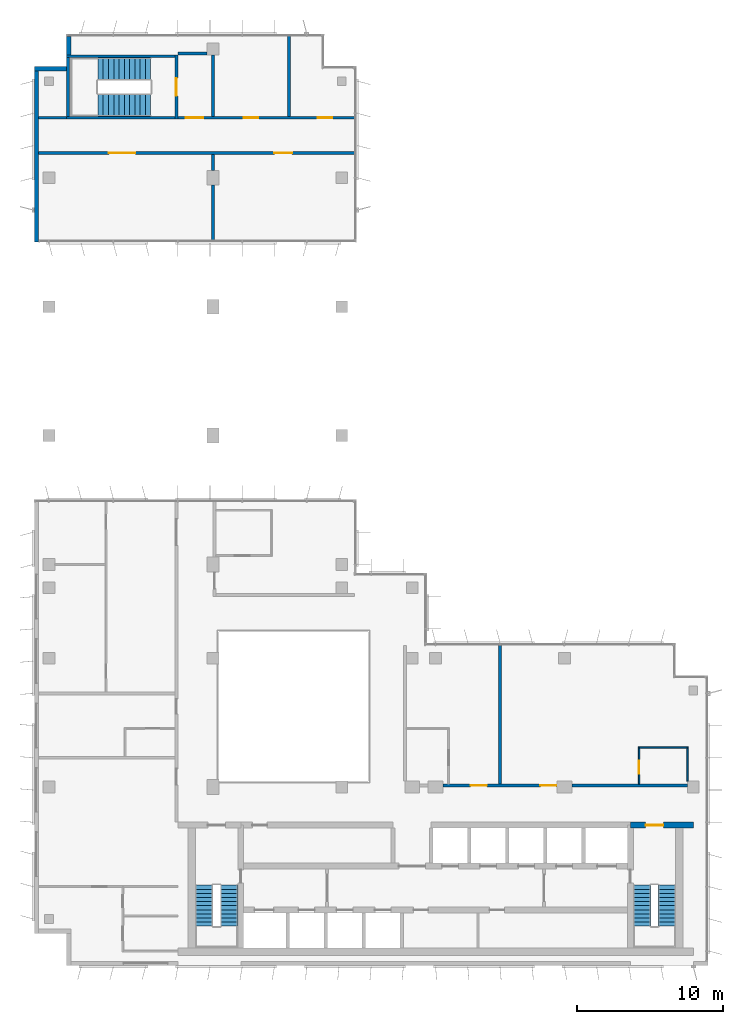
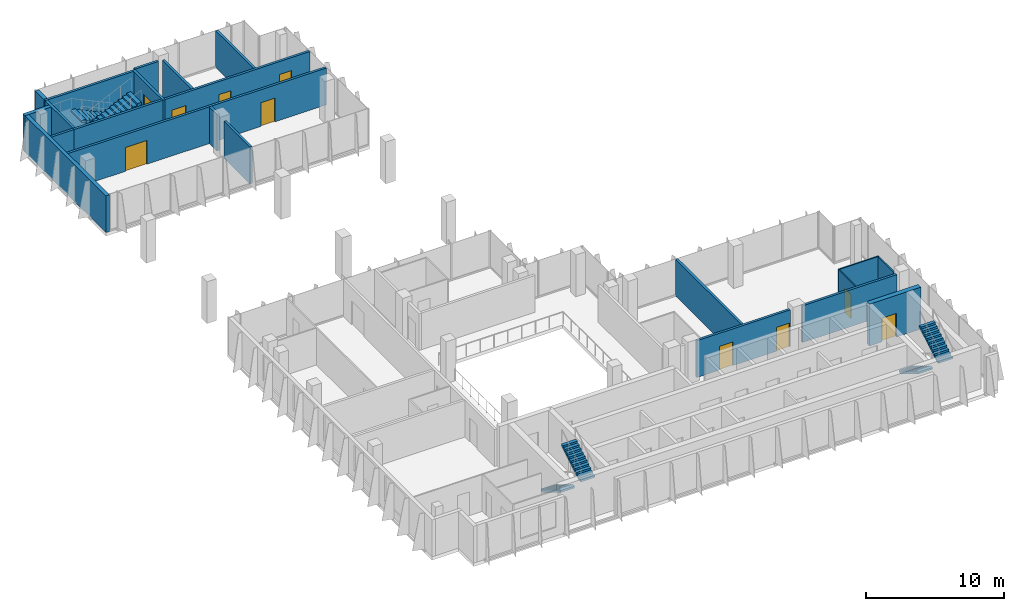
# One storey, part 11 of 13: 22 walls, 10 doors, 6 stair flights, 10 openings, 3 elements without a shape of their own.
"""IFC4 building model written with IfcOpenShell, lengths in metres."""

from ifc_helpers import new_model, si_unit, direction, frame, frame_2d, origin, place, context, subcontext, project, spatial, polyline, rectangle, outline, extrude, material, layer, layer_set, type_object, element, fill, aggregate, save


model = new_model("IFC4")

# Units and contexts
model_context = context("Model", 3, precision=1e-05, world=origin(), true_north=direction((0.0, 1.0)))
body_context = subcontext(model_context, "Body", "Model", "MODEL_VIEW")
ifc_project = project(units=[si_unit("LENGTHUNIT", "METRE"), si_unit("AREAUNIT", "SQUARE_METRE"), si_unit("VOLUMEUNIT", "CUBIC_METRE"), si_unit("PLANEANGLEUNIT", "RADIAN"), si_unit("MASSUNIT", "GRAM", prefix="KILO")], contexts=[model_context])

# Site, building, storey
site_placement = place(None, origin())
site = spatial("IfcSite", under=ifc_project, at=site_placement, CompositionType="ELEMENT")
building_placement = place(site_placement, origin())
building = spatial("IfcBuilding", under=site, at=building_placement, Name="Kemantara Hotel Tower", CompositionType="ELEMENT")
storey_placement = place(building_placement, frame((0.0, 0.0, 252.39990234375)))
storey = spatial("IfcBuildingStorey", under=building, at=storey_placement, Name="L63", CompositionType="ELEMENT", Elevation=252.39990234375)

# Walls
ifc_material_1 = material(Name="Bronze anodised aluminium cladding on insulated steel stud wall", Category="steel")
ifc_layer_1 = layer(ifc_material_1, 0.300048828125)
ifc_layer_set_1 = layer_set([ifc_layer_1], Name="Bronze anodised aluminium cladding on insulated steel stud wall")
wall_type_1 = type_object("IfcWallType", Name="BRONZE METAL-CLAD EXTERNAL WALL 300", PredefinedType="STANDARD", material=ifc_layer_set_1)
wall_1_placement = place(storey_placement, frame((2.35009765625, 63.449951171875, 0.0), z_axis=(0.0, 0.0, 1.0), x_axis=(0.0, -1.0, 0.0)))
element("IfcWall", 1, at=wall_1_placement, inside=storey, type_object=wall_type_1, Name="EXTERNAL WALL L63 T4P-R17", PredefinedType="STANDARD", context=body_context, shape_type="SweptSolid", body=[
    extrude(rectangle(XDim=1.25, YDim=0.300048828125, at=frame_2d((0.625, 0.0))), origin(), (0.0, 0.0, 1.0), 3.25),
])
wall_2_placement = place(storey_placement, frame((2.199951171875, 61.25, 0.0), z_axis=(0.0, 0.0, 1.0), x_axis=(-1.0, 0.0, 0.0)))
element("IfcWall", 2, at=wall_2_placement, inside=storey, type_object=wall_type_1, Name="EXTERNAL WALL L63 T4P-R18", PredefinedType="STANDARD", context=body_context, shape_type="SweptSolid", body=[
    extrude(rectangle(XDim=2.199951171875, YDim=0.300048828125, at=frame_2d((1.10009765625, 0.0))), origin(), (0.0, 0.0, 1.0), 3.25),
])
wall_3_placement = place(storey_placement, frame((0.14990234375, 61.10009765625, 0.0), z_axis=(0.0, 0.0, 1.0), x_axis=(0.0, -1.0, 0.0)))
element("IfcWall", 3, at=wall_3_placement, inside=storey, type_object=wall_type_1, Name="EXTERNAL WALL L63 T4P-R19", PredefinedType="STANDARD", context=body_context, shape_type="SweptSolid", body=[
    extrude(rectangle(XDim=11.7001953125, YDim=0.300048828125, at=frame_2d((5.85009765625, 0.0))), origin(), (0.0, 0.0, 1.0), 3.25),
])

# Wall, opening, door
ifc_material_2 = material(Name="Concrete fc 60 MPa", Category="concrete")
ifc_layer_2 = layer(ifc_material_2, 0.39990234375)
ifc_layer_set_2 = layer_set([ifc_layer_2], Name="Concrete fc 60 MPa")
wall_type_2 = type_object("IfcWallType", Name="CORE WALL 400 FC60", PredefinedType="SHEAR", material=ifc_layer_set_2)
wall_4_placement = place(storey_placement, frame((40.699951171875, 9.60009765625, 0.0), z_axis=(0.0, 0.0, 1.0), x_axis=(1.0, 0.0, 0.0)))
wall_4 = element("IfcWall", 4, at=wall_4_placement, inside=storey, type_object=wall_type_2, Name="CORE WALL CW-N2", PredefinedType="SHEAR", context=body_context, shape_type="SweptSolid", body=[
    extrude(rectangle(XDim=4.300048828125, YDim=0.39990234375, at=frame_2d((2.14990234375, 0.0))), origin(), (0.0, 0.0, 1.0), 3.7001953125),
])
opening_1_placement = place(wall_4_placement, frame((1.050048828125, 0.0, 0.0)))
opening_1 = element("IfcOpeningElement", 5, at=opening_1_placement, cuts=wall_4, Name="Opening C37-ST2-C", PredefinedType="OPENING", context=body_context, shape_type="SweptSolid", body=[
    extrude(rectangle(XDim=1.199951171875, YDim=2.10009765625, at=frame_2d((0.60009765625, 1.050048828125))), frame((0.0, 0.2099609375, 0.0), z_axis=(0.0, -1.0, 0.0), x_axis=(1.0, 0.0, 0.0)), (0.0, 0.0, 1.0), 0.419921875),
])
ifc_material_3 = material(Name="Steel fire door", Category="steel")
door_type_1 = type_object("IfcDoorType", Name="Fire door FD90 1200 x 2100", OperationType="NOTDEFINED", PredefinedType="DOOR", material=ifc_material_3)
door_1_placement = place(opening_1_placement, frame((1.199951171875, 0.0, 0.0), z_axis=(0.0, 0.0, 1.0), x_axis=(-1.0, 0.0, 0.0)))
door_1 = element("IfcDoor", 6, at=door_1_placement, inside=storey, type_object=door_type_1, Name="Stair ST2 door to corridor", OperationType="SINGLE_SWING_RIGHT", OverallHeight=2.10009765625, OverallWidth=1.199951171875, PredefinedType="DOOR", context=body_context, shape_type="SweptSolid", body=[
    extrude(rectangle(XDim=1.199951171875, YDim=2.10009765625, at=frame_2d((0.60009765625, 1.050048828125))), frame((0.0, 0.02490234375, 0.0), z_axis=(0.0, -1.0, 0.0), x_axis=(1.0, 0.0, 0.0)), (0.0, 0.0, 1.0), 0.050048828125),
])
fill(opening_1, door_1)

# Wall, openings, doors
ifc_material_4 = material(Name="Gypsum board partition, steel studs and mineral wool, 200 mm", Category="steel")
ifc_layer_3 = layer(ifc_material_4, 0.199951171875)
ifc_layer_set_3 = layer_set([ifc_layer_3], Name="Gypsum board partition, steel studs and mineral wool, 200 mm")
wall_type_3 = type_object("IfcWallType", Name="CORRIDOR WALL 200", PredefinedType="PARTITIONING", material=ifc_layer_set_3)
wall_5_placement = place(storey_placement, frame((27.900146484375, 12.300048828125, 0.0), z_axis=(0.0, 0.0, 1.0), x_axis=(1.0, 0.0, 0.0)))
wall_5 = element("IfcWall", 7, at=wall_5_placement, inside=storey, type_object=wall_type_3, Name="CORRIDOR WALL 200 010", PredefinedType="PARTITIONING", context=body_context, shape_type="SweptSolid", body=[
    extrude(rectangle(XDim=7.7998046875, YDim=0.199951171875, at=frame_2d((3.89990234375, 0.0))), origin(), (0.0, 0.0, 1.0), 3.25),
])
opening_2_placement = place(wall_5_placement, frame((1.89990234375, 0.0, 0.0)))
opening_2 = element("IfcOpeningElement", 8, at=opening_2_placement, cuts=wall_5, Name="Opening F31-001", PredefinedType="OPENING", context=body_context, shape_type="SweptSolid", body=[
    extrude(rectangle(XDim=1.10009765625, YDim=2.10009765625, at=frame_2d((0.550048828125, 1.050048828125))), frame((0.0, 0.10986328125, 0.0), z_axis=(0.0, -1.0, 0.0), x_axis=(1.0, 0.0, 0.0)), (0.0, 0.0, 1.0), 0.219970703125),
])
opening_3_placement = place(wall_5_placement, frame((6.64990234375, 0.0, 0.0)))
opening_3 = element("IfcOpeningElement", 9, at=opening_3_placement, cuts=wall_5, Name="Opening F31-003", PredefinedType="OPENING", context=body_context, shape_type="SweptSolid", body=[
    extrude(rectangle(XDim=1.10009765625, YDim=2.10009765625, at=frame_2d((0.550048828125, 1.050048828125))), frame((0.0, 0.10986328125, 0.0), z_axis=(0.0, -1.0, 0.0), x_axis=(1.0, 0.0, 0.0)), (0.0, 0.0, 1.0), 0.219970703125),
])
ifc_material_5 = material(Name="Hardwood veneer door leaf with steel frame", Category="steel")
door_type_2 = type_object("IfcDoorType", Name="GUEST ROOM DOOR 1100 X 2100 FD30S", OperationType="NOTDEFINED", PredefinedType="DOOR", material=ifc_material_5)
door_2_placement = place(opening_2_placement, origin())
door_2 = element("IfcDoor", 10, at=door_2_placement, inside=storey, type_object=door_type_2, Name="GUEST ROOM DOOR F31-001", OperationType="SINGLE_SWING_RIGHT", OverallHeight=2.10009765625, OverallWidth=1.10009765625, PredefinedType="DOOR", context=body_context, shape_type="SweptSolid", body=[
    extrude(rectangle(XDim=1.10009765625, YDim=2.10009765625, at=frame_2d((0.550048828125, 1.050048828125))), frame((0.0, 0.02490234375, 0.0), z_axis=(0.0, -1.0, 0.0), x_axis=(1.0, 0.0, 0.0)), (0.0, 0.0, 1.0), 0.050048828125),
])
fill(opening_2, door_2)
door_type_3 = type_object("IfcDoorType", Name="SUITE ENTRANCE DOOR 1100 X 2100 FD30S", OperationType="NOTDEFINED", PredefinedType="DOOR", material=ifc_material_5)
door_3_placement = place(opening_3_placement, origin())
door_3 = element("IfcDoor", 11, at=door_3_placement, inside=storey, type_object=door_type_3, Name="SUITE ENTRANCE DOOR F31-003", OperationType="SINGLE_SWING_LEFT", OverallHeight=2.10009765625, OverallWidth=1.10009765625, PredefinedType="DOOR", context=body_context, shape_type="SweptSolid", body=[
    extrude(rectangle(XDim=1.10009765625, YDim=2.10009765625, at=frame_2d((0.550048828125, 1.050048828125))), frame((0.0, 0.02490234375, 0.0), z_axis=(0.0, -1.0, 0.0), x_axis=(1.0, 0.0, 0.0)), (0.0, 0.0, 1.0), 0.050048828125),
])
fill(opening_3, door_3)

# Wall
wall_6_placement = place(storey_placement, frame((36.7001953125, 12.300048828125, 0.0), z_axis=(0.0, 0.0, 1.0), x_axis=(1.0, 0.0, 0.0)))
element("IfcWall", 12, at=wall_6_placement, inside=storey, type_object=wall_type_3, Name="CORRIDOR WALL 200 011", PredefinedType="PARTITIONING", context=body_context, shape_type="SweptSolid", body=[
    extrude(rectangle(XDim=7.899658203125, YDim=0.199951171875, at=frame_2d((3.94970703125, 0.0))), origin(), (0.0, 0.0, 1.0), 3.25),
])

# Wall, opening, door
ifc_material_6 = material(Name="Concrete fc 40 MPa", Category="concrete")
ifc_layer_4 = layer(ifc_material_6, 0.199951171875)
ifc_layer_set_4 = layer_set([ifc_layer_4], Name="Concrete fc 40 MPa")
wall_type_4 = type_object("IfcWallType", Name="Concrete stair wall 200 mm", PredefinedType="SHEAR", material=ifc_layer_set_4)
wall_7_placement = place(storey_placement, frame((9.699951171875, 57.800048828125, 0.0), z_axis=(0.0, 0.0, 1.0), x_axis=(0.0, 1.0, 0.0)))
wall_7 = element("IfcWall", 13, at=wall_7_placement, inside=storey, type_object=wall_type_4, Name="Stair ST4 enclosure wall with door", PredefinedType="SHEAR", context=body_context, shape_type="SweptSolid", body=[
    extrude(rectangle(XDim=4.39990234375, YDim=0.199951171875, at=frame_2d((2.199951171875, 0.0))), origin(), (0.0, 0.0, 1.0), 3.25),
])
opening_4_placement = place(wall_7_placement, frame((1.60009765625, 0.0, 0.0)))
opening_4 = element("IfcOpeningElement", 14, at=opening_4_placement, cuts=wall_7, Name="Opening ST4-C", PredefinedType="OPENING", context=body_context, shape_type="SweptSolid", body=[
    extrude(rectangle(XDim=1.199951171875, YDim=2.10009765625, at=frame_2d((0.60009765625, 1.050048828125))), frame((0.0, 0.10986328125, 0.0), z_axis=(0.0, -1.0, 0.0), x_axis=(1.0, 0.0, 0.0)), (0.0, 0.0, 1.0), 0.219970703125),
])
door_4_placement = place(opening_4_placement, origin())
door_4 = element("IfcDoor", 15, at=door_4_placement, inside=storey, type_object=door_type_1, Name="Stair ST4 door", OperationType="SINGLE_SWING_RIGHT", OverallHeight=2.10009765625, OverallWidth=1.199951171875, PredefinedType="DOOR", context=body_context, shape_type="SweptSolid", body=[
    extrude(rectangle(XDim=1.199951171875, YDim=2.10009765625, at=frame_2d((0.60009765625, 1.050048828125))), frame((0.0, 0.02490234375, 0.0), z_axis=(0.0, -1.0, 0.0), x_axis=(1.0, 0.0, 0.0)), (0.0, 0.0, 1.0), 0.050048828125),
])
fill(opening_4, door_4)

# Walls
for number, where, z_axis, x_axis, name in (
    (16, (2.199951171875, 62.10009765625, 0.0), (0.0, 0.0, 1.0), (1.0, 0.0, 0.0), "Stair ST4 enclosure wall N"),
    (17, (2.199951171875, 57.89990234375, 0.0), (0.0, 0.0, 1.0), (1.0, 0.0, 0.0), "Stair ST4 enclosure wall S"),
):
    element("IfcWall", number, at=place(storey_placement, frame(where, z_axis=z_axis, x_axis=x_axis)), inside=storey, type_object=wall_type_4, Name=name, PredefinedType="SHEAR", context=body_context, shape_type="SweptSolid", body=[
        extrude(rectangle(XDim=7.400146484375, YDim=0.199951171875, at=frame_2d((3.7001953125, 0.0))), origin(), (0.0, 0.0, 1.0), 3.25),
    ])
wall_8_placement = place(storey_placement, frame((2.300048828125, 58.0, 0.0), z_axis=(0.0, 0.0, 1.0), x_axis=(0.0, 1.0, 0.0)))
element("IfcWall", 18, at=wall_8_placement, inside=storey, type_object=wall_type_4, Name="Stair ST4 enclosure wall W", PredefinedType="SHEAR", context=body_context, shape_type="SweptSolid", body=[
    extrude(rectangle(XDim=4.0, YDim=0.199951171875, at=frame_2d((2.0, 0.0))), origin(), (0.0, 0.0, 1.0), 3.25),
])
ifc_layer_5 = layer(ifc_material_4, 0.199951171875)
ifc_layer_set_5 = layer_set([ifc_layer_5], Name="Gypsum board partition, steel studs and mineral wool, 200 mm")
wall_type_5 = type_object("IfcWallType", Name="GUEST ROOM PARTY WALL 200", PredefinedType="PARTITIONING", material=ifc_layer_set_5)
wall_9_placement = place(storey_placement, frame((31.800048828125, 12.39990234375, 0.0), z_axis=(0.0, 0.0, 1.0), x_axis=(0.0, 1.0, 0.0)))
element("IfcWall", 19, at=wall_9_placement, inside=storey, type_object=wall_type_5, Name="GUEST ROOM PARTY WALL 200 013", PredefinedType="PARTITIONING", context=body_context, shape_type="SweptSolid", body=[
    extrude(rectangle(XDim=9.47021484375, YDim=0.199951171875, at=frame_2d((4.735107421875, 0.0))), origin(), (0.0, 0.0, 1.0), 3.25),
])

# Wall, openings, doors
ifc_material_7 = material(Name="Gypsum board partition, steel studs and mineral wool, double layer, 200 mm", Category="steel")
ifc_layer_6 = layer(ifc_material_7, 0.199951171875)
ifc_layer_set_6 = layer_set([ifc_layer_6], Name="Gypsum board partition, steel studs and mineral wool, double layer, 200 mm")
wall_type_6 = type_object("IfcWallType", Name="PLANT ROOM WALL 200", PredefinedType="PARTITIONING", material=ifc_layer_set_6)
wall_10_placement = place(storey_placement, frame((0.300048828125, 55.5, 0.0), z_axis=(0.0, 0.0, 1.0), x_axis=(1.0, 0.0, 0.0)))
wall_10 = element("IfcWall", 20, at=wall_10_placement, inside=storey, type_object=wall_type_6, Name="PLANT ROOM WALL 200 001", PredefinedType="PARTITIONING", context=body_context, shape_type="SweptSolid", body=[
    extrude(rectangle(XDim=21.579833984375, YDim=0.199951171875, at=frame_2d((10.7900390625, 0.0))), origin(), (0.0, 0.0, 1.0), 3.25),
])
opening_5_placement = place(wall_10_placement, frame((4.7998046875, 0.0, 0.0)))
opening_5 = element("IfcOpeningElement", 21, at=opening_5_placement, cuts=wall_10, Name="Opening F31-016", PredefinedType="OPENING", context=body_context, shape_type="SweptSolid", body=[
    extrude(rectangle(XDim=1.800048828125, YDim=2.10009765625, at=frame_2d((0.89990234375, 1.050048828125))), frame((0.0, 0.10986328125, 0.0), z_axis=(0.0, -1.0, 0.0), x_axis=(1.0, 0.0, 0.0)), (0.0, 0.0, 1.0), 0.219970703125),
])
opening_6_placement = place(wall_10_placement, frame((16.099853515625, 0.0, 0.0)))
opening_6 = element("IfcOpeningElement", 22, at=opening_6_placement, cuts=wall_10, Name="Opening F31-017", PredefinedType="OPENING", context=body_context, shape_type="SweptSolid", body=[
    extrude(rectangle(XDim=1.199951171875, YDim=2.10009765625, at=frame_2d((0.60009765625, 1.050048828125))), frame((0.0, 0.10986328125, 0.0), z_axis=(0.0, -1.0, 0.0), x_axis=(1.0, 0.0, 0.0)), (0.0, 0.0, 1.0), 0.219970703125),
])
ifc_material_8 = material(Name="Steel door leaf with steel frame", Category="steel")
door_type_4 = type_object("IfcDoorType", Name="SERVICE ROOM DOOR 1200 X 2100 FD60", OperationType="NOTDEFINED", PredefinedType="DOOR", material=ifc_material_8)
door_5_placement = place(opening_6_placement, origin())
door_5 = element("IfcDoor", 23, at=door_5_placement, inside=storey, type_object=door_type_4, Name="SERVICE ROOM DOOR F31-017", OperationType="SINGLE_SWING_LEFT", OverallHeight=2.10009765625, OverallWidth=1.199951171875, PredefinedType="DOOR", context=body_context, shape_type="SweptSolid", body=[
    extrude(rectangle(XDim=1.199951171875, YDim=2.10009765625, at=frame_2d((0.60009765625, 1.050048828125))), frame((0.0, 0.02490234375, 0.0), z_axis=(0.0, -1.0, 0.0), x_axis=(1.0, 0.0, 0.0)), (0.0, 0.0, 1.0), 0.050048828125),
])
fill(opening_6, door_5)
door_type_5 = type_object("IfcDoorType", Name="SERVICE ROOM DOOR 1800 X 2100 FD60", OperationType="NOTDEFINED", PredefinedType="DOOR", material=ifc_material_8)
door_6_placement = place(opening_5_placement, origin())
door_6 = element("IfcDoor", 24, at=door_6_placement, inside=storey, type_object=door_type_5, Name="SERVICE ROOM DOOR F31-016", OperationType="DOUBLE_DOOR_SINGLE_SWING", OverallHeight=2.10009765625, OverallWidth=1.800048828125, PredefinedType="DOOR", context=body_context, shape_type="SweptSolid", body=[
    extrude(rectangle(XDim=1.800048828125, YDim=2.10009765625, at=frame_2d((0.89990234375, 1.050048828125))), frame((0.0, 0.02490234375, 0.0), z_axis=(0.0, -1.0, 0.0), x_axis=(1.0, 0.0, 0.0)), (0.0, 0.0, 1.0), 0.050048828125),
])
fill(opening_5, door_6)

# Walls
wall_11_placement = place(storey_placement, frame((12.199951171875, 49.52001953125, 0.0), z_axis=(0.0, 0.0, 1.0), x_axis=(0.0, 1.0, 0.0)))
element("IfcWall", 25, at=wall_11_placement, inside=storey, type_object=wall_type_6, Name="PLANT ROOM WALL 200 002", PredefinedType="PARTITIONING", context=body_context, shape_type="SweptSolid", body=[
    extrude(rectangle(XDim=3.77978515625, YDim=0.199951171875, at=frame_2d((1.889892578125, 0.0))), origin(), (0.0, 0.0, 1.0), 3.25),
])
wall_12_placement = place(storey_placement, frame((12.199951171875, 54.300048828125, 0.0), z_axis=(0.0, 0.0, 1.0), x_axis=(0.0, 1.0, 0.0)))
element("IfcWall", 26, at=wall_12_placement, inside=storey, type_object=wall_type_6, Name="PLANT ROOM WALL 200 003", PredefinedType="PARTITIONING", context=body_context, shape_type="SweptSolid", body=[
    extrude(rectangle(XDim=1.099853515625, YDim=0.199951171875, at=frame_2d((0.5498046875, 0.0))), origin(), (0.0, 0.0, 1.0), 3.25),
])
wall_13_placement = place(storey_placement, frame((12.199951171875, 58.0, 0.0), z_axis=(0.0, 0.0, 1.0), x_axis=(0.0, 1.0, 0.0)))
element("IfcWall", 27, at=wall_13_placement, inside=storey, type_object=wall_type_6, Name="PLANT ROOM WALL 200 004", PredefinedType="PARTITIONING", context=body_context, shape_type="SweptSolid", body=[
    extrude(rectangle(XDim=4.199951171875, YDim=0.199951171875, at=frame_2d((2.10009765625, 0.0))), origin(), (0.0, 0.0, 1.0), 3.25),
])
wall_14_placement = place(storey_placement, frame((0.300048828125, 57.89990234375, 0.0), z_axis=(0.0, 0.0, 1.0), x_axis=(1.0, 0.0, 0.0)))
element("IfcWall", 28, at=wall_14_placement, inside=storey, type_object=wall_type_6, Name="PLANT ROOM WALL 200 005", PredefinedType="PARTITIONING", context=body_context, shape_type="SweptSolid", body=[
    extrude(rectangle(XDim=1.89990234375, YDim=0.199951171875, at=frame_2d((0.949951171875, 0.0))), origin(), (0.0, 0.0, 1.0), 3.25),
])

# Wall, openings, doors
wall_15_placement = place(storey_placement, frame((21.8798828125, 57.89990234375, 0.0), z_axis=(0.0, 0.0, 1.0), x_axis=(-1.0, 0.0, 0.0)))
wall_15 = element("IfcWall", 29, at=wall_15_placement, inside=storey, type_object=wall_type_6, Name="PLANT ROOM WALL 200 006", PredefinedType="PARTITIONING", context=body_context, shape_type="SweptSolid", body=[
    extrude(rectangle(XDim=12.079833984375, YDim=0.199951171875, at=frame_2d((6.0400390625, 0.0))), origin(), (0.0, 0.0, 1.0), 3.25),
])
opening_7_placement = place(wall_15_placement, frame((10.329833984375, 0.0, 0.0)))
opening_7 = element("IfcOpeningElement", 30, at=opening_7_placement, cuts=wall_15, Name="Opening F31-018", PredefinedType="OPENING", context=body_context, shape_type="SweptSolid", body=[
    extrude(rectangle(XDim=1.199951171875, YDim=2.10009765625, at=frame_2d((0.60009765625, 1.050048828125))), frame((0.0, 0.10986328125, 0.0), z_axis=(0.0, -1.0, 0.0), x_axis=(1.0, 0.0, 0.0)), (0.0, 0.0, 1.0), 0.219970703125),
])
opening_8_placement = place(wall_15_placement, frame((6.579833984375, 0.0, 0.0)))
opening_8 = element("IfcOpeningElement", 31, at=opening_8_placement, cuts=wall_15, Name="Opening F31-019", PredefinedType="OPENING", context=body_context, shape_type="SweptSolid", body=[
    extrude(rectangle(XDim=1.0, YDim=2.10009765625, at=frame_2d((0.5, 1.050048828125))), frame((0.0, 0.10986328125, 0.0), z_axis=(0.0, -1.0, 0.0), x_axis=(1.0, 0.0, 0.0)), (0.0, 0.0, 1.0), 0.219970703125),
])
opening_9_placement = place(wall_15_placement, frame((1.52978515625, 0.0, 0.0)))
opening_9 = element("IfcOpeningElement", 32, at=opening_9_placement, cuts=wall_15, Name="Opening F31-020", PredefinedType="OPENING", context=body_context, shape_type="SweptSolid", body=[
    extrude(rectangle(XDim=1.0, YDim=2.10009765625, at=frame_2d((0.5, 1.050048828125))), frame((0.0, 0.10986328125, 0.0), z_axis=(0.0, -1.0, 0.0), x_axis=(1.0, 0.0, 0.0)), (0.0, 0.0, 1.0), 0.219970703125),
])
door_type_6 = type_object("IfcDoorType", Name="SERVICE ROOM DOOR 1000 X 2100 FD60", OperationType="NOTDEFINED", PredefinedType="DOOR", material=ifc_material_8)
door_7_placement = place(opening_8_placement, origin())
door_7 = element("IfcDoor", 33, at=door_7_placement, inside=storey, type_object=door_type_6, Name="SERVICE ROOM DOOR F31-019", OperationType="SINGLE_SWING_RIGHT", OverallHeight=2.10009765625, OverallWidth=1.0, PredefinedType="DOOR", context=body_context, shape_type="SweptSolid", body=[
    extrude(rectangle(XDim=1.0, YDim=2.10009765625, at=frame_2d((0.5, 1.050048828125))), frame((0.0, 0.02490234375, 0.0), z_axis=(0.0, -1.0, 0.0), x_axis=(1.0, 0.0, 0.0)), (0.0, 0.0, 1.0), 0.050048828125),
])
fill(opening_8, door_7)
door_8_placement = place(opening_9_placement, origin())
door_8 = element("IfcDoor", 34, at=door_8_placement, inside=storey, type_object=door_type_6, Name="SERVICE ROOM DOOR F31-020", OperationType="SINGLE_SWING_RIGHT", OverallHeight=2.10009765625, OverallWidth=1.0, PredefinedType="DOOR", context=body_context, shape_type="SweptSolid", body=[
    extrude(rectangle(XDim=1.0, YDim=2.10009765625, at=frame_2d((0.5, 1.050048828125))), frame((0.0, 0.02490234375, 0.0), z_axis=(0.0, -1.0, 0.0), x_axis=(1.0, 0.0, 0.0)), (0.0, 0.0, 1.0), 0.050048828125),
])
fill(opening_9, door_8)
door_9_placement = place(opening_7_placement, origin())
door_9 = element("IfcDoor", 35, at=door_9_placement, inside=storey, type_object=door_type_4, Name="SERVICE ROOM DOOR F31-018", OperationType="SINGLE_SWING_RIGHT", OverallHeight=2.10009765625, OverallWidth=1.199951171875, PredefinedType="DOOR", context=body_context, shape_type="SweptSolid", body=[
    extrude(rectangle(XDim=1.199951171875, YDim=2.10009765625, at=frame_2d((0.60009765625, 1.050048828125))), frame((0.0, 0.02490234375, 0.0), z_axis=(0.0, -1.0, 0.0), x_axis=(1.0, 0.0, 0.0)), (0.0, 0.0, 1.0), 0.050048828125),
])
fill(opening_7, door_9)

# Walls
wall_16_placement = place(storey_placement, frame((17.39990234375, 58.0, 0.0), z_axis=(0.0, 0.0, 1.0), x_axis=(0.0, 1.0, 0.0)))
element("IfcWall", 36, at=wall_16_placement, inside=storey, type_object=wall_type_6, Name="PLANT ROOM WALL 200 007", PredefinedType="PARTITIONING", context=body_context, shape_type="SweptSolid", body=[
    extrude(rectangle(XDim=5.47998046875, YDim=0.199951171875, at=frame_2d((2.739990234375, 0.0))), origin(), (0.0, 0.0, 1.0), 3.25),
])
wall_17_placement = place(storey_placement, frame((9.800048828125, 62.300048828125, 0.0), z_axis=(0.0, 0.0, 1.0), x_axis=(1.0, 0.0, 0.0)))
element("IfcWall", 37, at=wall_17_placement, inside=storey, type_object=wall_type_6, Name="PLANT ROOM WALL 200 008", PredefinedType="PARTITIONING", context=body_context, shape_type="SweptSolid", body=[
    extrude(rectangle(XDim=1.999755859375, YDim=0.199951171875, at=frame_2d((1.0, 0.0))), origin(), (0.0, 0.0, 1.0), 3.25),
])
ifc_material_9 = material(Name="Gypsum board partition on steel studs, 100 mm", Category="steel")
ifc_layer_7 = layer(ifc_material_9, 0.10009765625)
ifc_layer_set_7 = layer_set([ifc_layer_7], Name="Gypsum board partition on steel studs, 100 mm")
wall_type_7 = type_object("IfcWallType", Name="ROOM PARTITION 100", PredefinedType="PARTITIONING", material=ifc_layer_set_7)
wall_18_placement = place(storey_placement, frame((41.25, 14.89990234375, 0.0), z_axis=(0.0, 0.0, 1.0), x_axis=(1.0, 0.0, 0.0)))
element("IfcWall", 38, at=wall_18_placement, inside=storey, type_object=wall_type_7, Name="ROOM PARTITION 100 023", PredefinedType="PARTITIONING", context=body_context, shape_type="SweptSolid", body=[
    extrude(rectangle(XDim=3.39990234375, YDim=0.10009765625, at=frame_2d((1.699951171875, 0.0))), origin(), (0.0, 0.0, 1.0), 3.25),
])

# Wall, opening, door
wall_19_placement = place(storey_placement, frame((41.300048828125, 14.85009765625, 0.0), z_axis=(0.0, 0.0, 1.0), x_axis=(0.0, -1.0, 0.0)))
wall_19 = element("IfcWall", 39, at=wall_19_placement, inside=storey, type_object=wall_type_7, Name="ROOM PARTITION 100 024", PredefinedType="PARTITIONING", context=body_context, shape_type="SweptSolid", body=[
    extrude(rectangle(XDim=2.4501953125, YDim=0.10009765625, at=frame_2d((1.22509765625, 0.0))), origin(), (0.0, 0.0, 1.0), 3.25),
])
opening_10_placement = place(wall_19_placement, frame((0.85009765625, 0.0, 0.0)))
opening_10 = element("IfcOpeningElement", 40, at=opening_10_placement, cuts=wall_19, Name="Opening F31-004", PredefinedType="OPENING", context=body_context, shape_type="SweptSolid", body=[
    extrude(rectangle(XDim=0.89990234375, YDim=2.10009765625, at=frame_2d((0.449951171875, 1.050048828125))), frame((0.0, 0.06005859375, 0.0), z_axis=(0.0, -1.0, 0.0), x_axis=(1.0, 0.0, 0.0)), (0.0, 0.0, 1.0), 0.1201171875),
])
door_type_7 = type_object("IfcDoorType", Name="BATHROOM DOOR 900 X 2100", OperationType="NOTDEFINED", PredefinedType="DOOR", material=ifc_material_5)
door_10_placement = place(opening_10_placement, origin())
door_10 = element("IfcDoor", 41, at=door_10_placement, inside=storey, type_object=door_type_7, Name="BATHROOM DOOR F31-004", OperationType="SINGLE_SWING_RIGHT", OverallHeight=2.10009765625, OverallWidth=0.89990234375, PredefinedType="DOOR", context=body_context, shape_type="SweptSolid", body=[
    extrude(rectangle(XDim=0.89990234375, YDim=2.10009765625, at=frame_2d((0.449951171875, 1.050048828125))), frame((0.0, 0.02490234375, 0.0), z_axis=(0.0, -1.0, 0.0), x_axis=(1.0, 0.0, 0.0)), (0.0, 0.0, 1.0), 0.050048828125),
])
fill(opening_10, door_10)

# Wall
wall_20_placement = place(storey_placement, frame((44.60009765625, 12.60009765625, 0.0), z_axis=(0.0, 0.0, 1.0), x_axis=(0.0, 1.0, 0.0)))
element("IfcWall", 42, at=wall_20_placement, inside=storey, type_object=wall_type_7, Name="ROOM PARTITION 100 025", PredefinedType="PARTITIONING", context=body_context, shape_type="SweptSolid", body=[
    extrude(rectangle(XDim=2.25, YDim=0.10009765625, at=frame_2d((1.125, 0.0))), origin(), (0.0, 0.0, 1.0), 3.25),
])

# Stair, stair flights
stair_type_1 = type_object("IfcStairType", Name="Stair 1200 wide 22 risers of 168 x 280 mm", PredefinedType="HALF_TURN_STAIR", material=ifc_material_6)
stair_1_placement = place(storey_placement, origin())
stair_1 = element("IfcStair", 43, at=stair_1_placement, inside=storey, type_object=stair_type_1, Name="L63 Exit stair ST1", PredefinedType="HALF_TURN_STAIR")
stair_flight_type_1 = type_object("IfcStairFlightType", Name="Stair flight 1200 wide 168 x 280 mm", PredefinedType="STRAIGHT", material=ifc_material_6)
stair_flight_1_placement = place(storey_placement, frame((11.60009765625, 5.5, 0.0), z_axis=(0.0, 0.0, 1.0), x_axis=(0.0, -1.0, 0.0)))
stair_flight_1 = element("IfcStairFlight", 44, at=stair_flight_1_placement, type_object=stair_flight_type_1, Name="ST1 flight 1", NumberOfRisers=11, NumberOfTreads=10, PredefinedType="STRAIGHT", RiserHeight=0.168181818, TreadLength=0.28, context=body_context, shape_type="SweptSolid", body=[
    extrude(outline(polyline([(0.0, 0.0), (0.0, 0.168212890625), (0.280029296875, 0.168212890625), (0.280029296875, 0.33642578125), (0.56005859375, 0.33642578125), (0.56005859375, 0.504638671875), (0.840087890625, 0.504638671875), (0.840087890625, 0.672607421875), (1.1201171875, 0.672607421875), (1.1201171875, 0.8408203125), (1.39990234375, 0.8408203125), (1.39990234375, 1.009033203125), (1.679931640625, 1.009033203125), (1.679931640625, 1.17724609375), (1.9599609375, 1.17724609375), (1.9599609375, 1.345458984375), (2.239990234375, 1.345458984375), (2.239990234375, 1.513671875), (2.52001953125, 1.513671875), (2.52001953125, 1.681884765625), (2.800048828125, 1.681884765625), (2.800048828125, 1.85009765625), (2.800048828125, 1.5068359375), (0.291015625, 0.0), (0.0, 0.0)])), frame((0.0, 0.60009765625, 0.0), z_axis=(0.0, -1.0, 0.0), x_axis=(1.0, 0.0, 0.0)), (0.0, 0.0, 1.0), 1.199951171875),
])
stair_flight_2_placement = place(storey_placement, frame((13.300048828125, 2.699951171875, 1.85009765625), z_axis=(0.0, 0.0, 1.0), x_axis=(0.0, 1.0, 0.0)))
stair_flight_2 = element("IfcStairFlight", 45, at=stair_flight_2_placement, type_object=stair_flight_type_1, Name="ST1 flight 2", NumberOfRisers=11, NumberOfTreads=10, PredefinedType="STRAIGHT", RiserHeight=0.168181818, TreadLength=0.28, context=body_context, shape_type="SweptSolid", body=[
    extrude(outline(polyline([(0.0, 0.0), (0.0, 0.168212890625), (0.280029296875, 0.168212890625), (0.280029296875, 0.33642578125), (0.56005859375, 0.33642578125), (0.56005859375, 0.504638671875), (0.840087890625, 0.504638671875), (0.840087890625, 0.672607421875), (1.1201171875, 0.672607421875), (1.1201171875, 0.8408203125), (1.39990234375, 0.8408203125), (1.39990234375, 1.009033203125), (1.679931640625, 1.009033203125), (1.679931640625, 1.17724609375), (1.9599609375, 1.17724609375), (1.9599609375, 1.345458984375), (2.239990234375, 1.345458984375), (2.239990234375, 1.513671875), (2.52001953125, 1.513671875), (2.52001953125, 1.681884765625), (2.800048828125, 1.681884765625), (2.800048828125, 1.85009765625), (2.800048828125, 1.5068359375), (0.291015625, 0.0), (0.0, 0.0)])), frame((0.0, 0.60009765625, 0.0), z_axis=(0.0, -1.0, 0.0), x_axis=(1.0, 0.0, 0.0)), (0.0, 0.0, 1.0), 1.199951171875),
])
aggregate(stair_1, [stair_flight_1, stair_flight_2])

stair_2_placement = place(storey_placement, origin())
stair_2 = element("IfcStair", 46, at=stair_2_placement, inside=storey, type_object=stair_type_1, Name="L63 Exit stair ST2", PredefinedType="HALF_TURN_STAIR")
stair_flight_3_placement = place(storey_placement, frame((41.5, 5.5, 0.0), z_axis=(0.0, 0.0, 1.0), x_axis=(0.0, -1.0, 0.0)))
stair_flight_3 = element("IfcStairFlight", 47, at=stair_flight_3_placement, type_object=stair_flight_type_1, Name="ST2 flight 1", NumberOfRisers=11, NumberOfTreads=10, PredefinedType="STRAIGHT", RiserHeight=0.168181818, TreadLength=0.28, context=body_context, shape_type="SweptSolid", body=[
    extrude(outline(polyline([(0.0, 0.0), (0.0, 0.168212890625), (0.280029296875, 0.168212890625), (0.280029296875, 0.33642578125), (0.56005859375, 0.33642578125), (0.56005859375, 0.504638671875), (0.840087890625, 0.504638671875), (0.840087890625, 0.672607421875), (1.1201171875, 0.672607421875), (1.1201171875, 0.8408203125), (1.39990234375, 0.8408203125), (1.39990234375, 1.009033203125), (1.679931640625, 1.009033203125), (1.679931640625, 1.17724609375), (1.9599609375, 1.17724609375), (1.9599609375, 1.345458984375), (2.239990234375, 1.345458984375), (2.239990234375, 1.513671875), (2.52001953125, 1.513671875), (2.52001953125, 1.681884765625), (2.800048828125, 1.681884765625), (2.800048828125, 1.85009765625), (2.800048828125, 1.5068359375), (0.291015625, 0.0), (0.0, 0.0)])), frame((0.0, 0.60009765625, 0.0), z_axis=(0.0, -1.0, 0.0), x_axis=(1.0, 0.0, 0.0)), (0.0, 0.0, 1.0), 1.199951171875),
])
stair_flight_4_placement = place(storey_placement, frame((43.199951171875, 2.699951171875, 1.85009765625), z_axis=(0.0, 0.0, 1.0), x_axis=(0.0, 1.0, 0.0)))
stair_flight_4 = element("IfcStairFlight", 48, at=stair_flight_4_placement, type_object=stair_flight_type_1, Name="ST2 flight 2", NumberOfRisers=11, NumberOfTreads=10, PredefinedType="STRAIGHT", RiserHeight=0.168181818, TreadLength=0.28, context=body_context, shape_type="SweptSolid", body=[
    extrude(outline(polyline([(0.0, 0.0), (0.0, 0.168212890625), (0.280029296875, 0.168212890625), (0.280029296875, 0.33642578125), (0.56005859375, 0.33642578125), (0.56005859375, 0.504638671875), (0.840087890625, 0.504638671875), (0.840087890625, 0.672607421875), (1.1201171875, 0.672607421875), (1.1201171875, 0.8408203125), (1.39990234375, 0.8408203125), (1.39990234375, 1.009033203125), (1.679931640625, 1.009033203125), (1.679931640625, 1.17724609375), (1.9599609375, 1.17724609375), (1.9599609375, 1.345458984375), (2.239990234375, 1.345458984375), (2.239990234375, 1.513671875), (2.52001953125, 1.513671875), (2.52001953125, 1.681884765625), (2.800048828125, 1.681884765625), (2.800048828125, 1.85009765625), (2.800048828125, 1.5068359375), (0.291015625, 0.0), (0.0, 0.0)])), frame((0.0, 0.60009765625, 0.0), z_axis=(0.0, -1.0, 0.0), x_axis=(1.0, 0.0, 0.0)), (0.0, 0.0, 1.0), 1.199951171875),
])
aggregate(stair_2, [stair_flight_3, stair_flight_4])

stair_type_2 = type_object("IfcStairType", Name="Stair 1550 wide 22 risers of 168 x 360 mm", PredefinedType="HALF_TURN_STAIR", material=ifc_material_6)
stair_3_placement = place(storey_placement, origin())
stair_3 = element("IfcStair", 49, at=stair_3_placement, inside=storey, type_object=stair_type_2, Name="L63 Exit stair ST4", PredefinedType="HALF_TURN_STAIR")
stair_flight_type_2 = type_object("IfcStairFlightType", Name="Stair flight 1550 wide 168 x 360 mm", PredefinedType="STRAIGHT", material=ifc_material_6)
stair_flight_5_placement = place(storey_placement, frame((7.949951171875, 61.22509765625, 0.0), z_axis=(0.0, 0.0, 1.0), x_axis=(-1.0, 0.0, 0.0)))
stair_flight_5 = element("IfcStairFlight", 50, at=stair_flight_5_placement, type_object=stair_flight_type_2, Name="ST4 flight 1", NumberOfRisers=11, NumberOfTreads=10, PredefinedType="STRAIGHT", RiserHeight=0.168181818, TreadLength=0.36, context=body_context, shape_type="SweptSolid", body=[
    extrude(outline(polyline([(0.0, 0.0), (0.0, 0.168212890625), (0.360107421875, 0.168212890625), (0.360107421875, 0.33642578125), (0.719970703125, 0.33642578125), (0.719970703125, 0.504638671875), (1.080078125, 0.504638671875), (1.080078125, 0.672607421875), (1.43994140625, 0.672607421875), (1.43994140625, 0.8408203125), (1.800048828125, 0.8408203125), (1.800048828125, 1.009033203125), (2.159912109375, 1.009033203125), (2.159912109375, 1.17724609375), (2.52001953125, 1.17724609375), (2.52001953125, 1.345458984375), (2.8798828125, 1.345458984375), (2.8798828125, 1.513671875), (3.239990234375, 1.513671875), (3.239990234375, 1.681884765625), (3.60009765625, 1.681884765625), (3.60009765625, 1.85009765625), (3.60009765625, 1.516357421875), (0.354248046875, 0.0), (0.0, 0.0)])), frame((0.0, 0.77490234375, 0.0), z_axis=(0.0, -1.0, 0.0), x_axis=(1.0, 0.0, 0.0)), (0.0, 0.0, 1.0), 1.550048828125),
])
stair_flight_6_placement = place(storey_placement, frame((4.35009765625, 58.77490234375, 1.85009765625), z_axis=(0.0, 0.0, 1.0), x_axis=(1.0, 0.0, 0.0)))
stair_flight_6 = element("IfcStairFlight", 51, at=stair_flight_6_placement, type_object=stair_flight_type_2, Name="ST4 flight 2", NumberOfRisers=11, NumberOfTreads=10, PredefinedType="STRAIGHT", RiserHeight=0.168181818, TreadLength=0.36, context=body_context, shape_type="SweptSolid", body=[
    extrude(outline(polyline([(0.0, 0.0), (0.0, 0.168212890625), (0.360107421875, 0.168212890625), (0.360107421875, 0.33642578125), (0.719970703125, 0.33642578125), (0.719970703125, 0.504638671875), (1.080078125, 0.504638671875), (1.080078125, 0.672607421875), (1.43994140625, 0.672607421875), (1.43994140625, 0.8408203125), (1.800048828125, 0.8408203125), (1.800048828125, 1.009033203125), (2.159912109375, 1.009033203125), (2.159912109375, 1.17724609375), (2.52001953125, 1.17724609375), (2.52001953125, 1.345458984375), (2.8798828125, 1.345458984375), (2.8798828125, 1.513671875), (3.239990234375, 1.513671875), (3.239990234375, 1.681884765625), (3.60009765625, 1.681884765625), (3.60009765625, 1.85009765625), (3.60009765625, 1.516357421875), (0.354248046875, 0.0), (0.0, 0.0)])), frame((0.0, 0.77490234375, 0.0), z_axis=(0.0, -1.0, 0.0), x_axis=(1.0, 0.0, 0.0)), (0.0, 0.0, 1.0), 1.550048828125),
])
aggregate(stair_3, [stair_flight_5, stair_flight_6])

save(model, "model.ifc")
